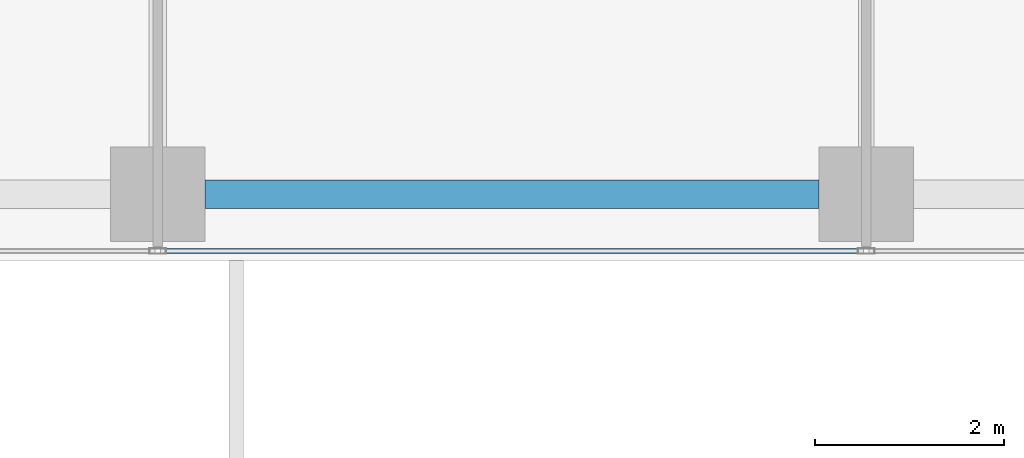
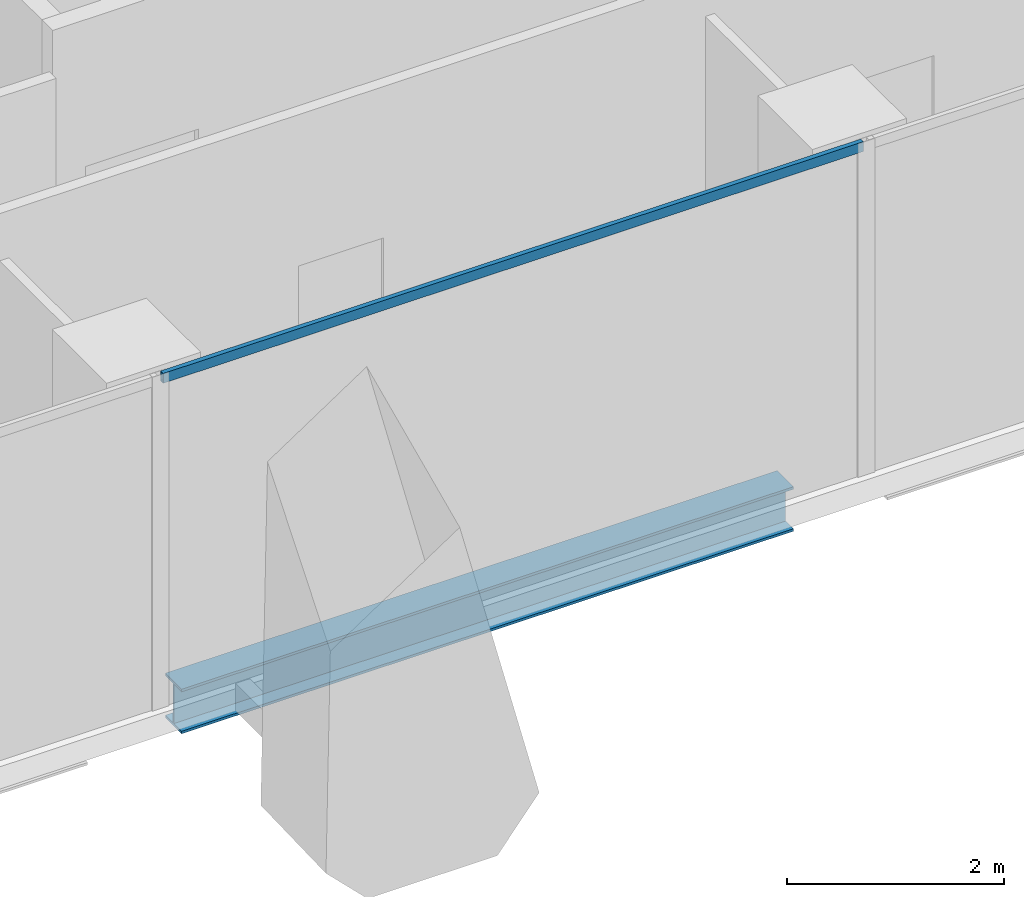
# One storey, part 3 of 38: 1 beam, 1 member, 1 element without a shape of its own.
"""IFC4 building model written with IfcOpenShell, lengths in metres."""

from ifc_helpers import new_model, si_unit, direction, frame, origin, origin_2d, place, context, subcontext, project, spatial, hollow_rectangle, i_section, extrude, source, transform, mapped, material, material_profile, profile_set, type_object, element, aggregate, save


model = new_model("IFC4")

# Units and contexts
model_context = context("Model", 3, precision=1e-05, world=origin(), true_north=direction((0.0, 1.0)))
body_context = subcontext(model_context, "Body", "Model", "MODEL_VIEW")
ifc_project = project(units=[si_unit("LENGTHUNIT", "METRE"), si_unit("AREAUNIT", "SQUARE_METRE"), si_unit("VOLUMEUNIT", "CUBIC_METRE"), si_unit("PLANEANGLEUNIT", "RADIAN"), si_unit("MASSUNIT", "GRAM", prefix="KILO")], contexts=[model_context])

# Site, building, storey
site_placement = place(None, origin())
site = spatial("IfcSite", under=ifc_project, at=site_placement, CompositionType="ELEMENT")
building_placement = place(site_placement, origin())
building = spatial("IfcBuilding", under=site, at=building_placement, Name="Khomas Fold Tower", CompositionType="ELEMENT")
storey_placement = place(building_placement, frame((0.0, 0.0, 208.699951171875)))
storey = spatial("IfcBuildingStorey", under=building, at=storey_placement, Name="L46", CompositionType="ELEMENT", Elevation=208.699951171875)

# Beam
ifc_material_1 = material(Name="Steel S355", Category="steel")
ifc_material_profile_1 = material_profile(ifc_material_1, i_section(OverallWidth=0.300048828125, OverallDepth=0.5, WebThickness=0.014404296875, FlangeThickness=0.028076171875, at=origin_2d()), Name="HE 500 B")
ifc_profile_set_1 = profile_set([ifc_material_profile_1], Name="Steel S355")
beam_type = type_object("IfcBeamType", Name="HE 500 B spandrel SB3", PredefinedType="SPANDREL", material=ifc_profile_set_1)
shared_shape_1 = source(origin(), body_context, "Body", "SweptSolid", [
    extrude(i_section(OverallWidth=0.300048828125, OverallDepth=0.5, WebThickness=0.014404296875, FlangeThickness=0.028076171875, at=origin_2d()), origin(), (0.0, 0.0, 1.0), 6.5),
])
beam_placement = place(storey_placement, frame((12.5, 3.699951171875, -0.5), z_axis=(1.0, 0.0, 0.0), x_axis=(0.0, 1.0, 0.0)))
element("IfcBeam", 1, at=beam_placement, inside=storey, type_object=beam_type, Name="SB3", PredefinedType="SPANDREL", context=body_context, shape_type="MappedRepresentation", body=[
    mapped(shared_shape_1, transform((0.0, 0.0, 0.0))),
])

# Curtain wall, member
ifc_material_2 = material(Name="Aluminium framed double glazing", Category="aluminium")
curtain_wall_type = type_object("IfcCurtainWallType", Name="SK-Unitised clear-glass wall, office floors CW2", PredefinedType="NOTDEFINED", material=ifc_material_2)
curtain_wall_placement = place(storey_placement, origin())
curtain_wall = element("IfcCurtainWall", 2, at=curtain_wall_placement, inside=storey, type_object=curtain_wall_type, Name="CW2 run L46 00-0", PredefinedType="NOTDEFINED")
ifc_material_3 = material(Name="Aluminium", Category="aluminium")
ifc_material_profile_2 = material_profile(ifc_material_3, hollow_rectangle(XDim=0.050048828125, YDim=0.110107421875, WallThickness=0.00390625, at=origin_2d()), Name="SK-Unitised clear-glass wall, office floors transom CW2-T")
ifc_profile_set_2 = profile_set([ifc_material_profile_2], Name="Aluminium")
member_type = type_object("IfcMemberType", Name="SK-Unitised clear-glass wall, office floors transom CW2-T", PredefinedType="USERDEFINED", material=ifc_profile_set_2)
shared_shape_2 = source(origin(), body_context, "Body", "SweptSolid", [
    extrude(hollow_rectangle(XDim=0.050048828125, YDim=0.110107421875, WallThickness=0.00390625, at=origin_2d()), origin(), (0.0, 0.0, 1.0), 7.43994140625),
])
member_placement = place(storey_placement, frame((12.030029296875, 3.10009765625, 3.695068359375), z_axis=(1.0, 0.0, 0.0), x_axis=(0.0, 1.0, 0.0)))
member = element("IfcMember", 3, at=member_placement, type_object=member_type, Name="CW2 transom 3", ObjectType="TRANSOM", PredefinedType="USERDEFINED", context=body_context, shape_type="MappedRepresentation", body=[
    mapped(shared_shape_2, transform((0.0, 0.0, 0.0))),
])
aggregate(curtain_wall, [member])

save(model, "model.ifc")
